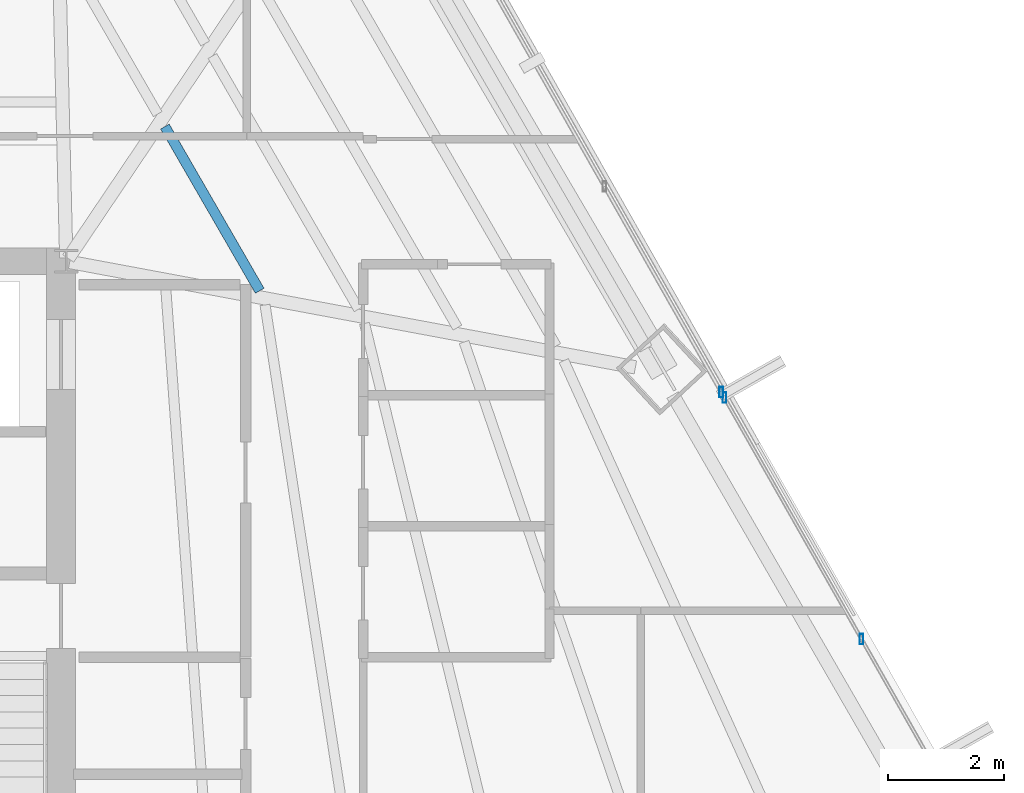
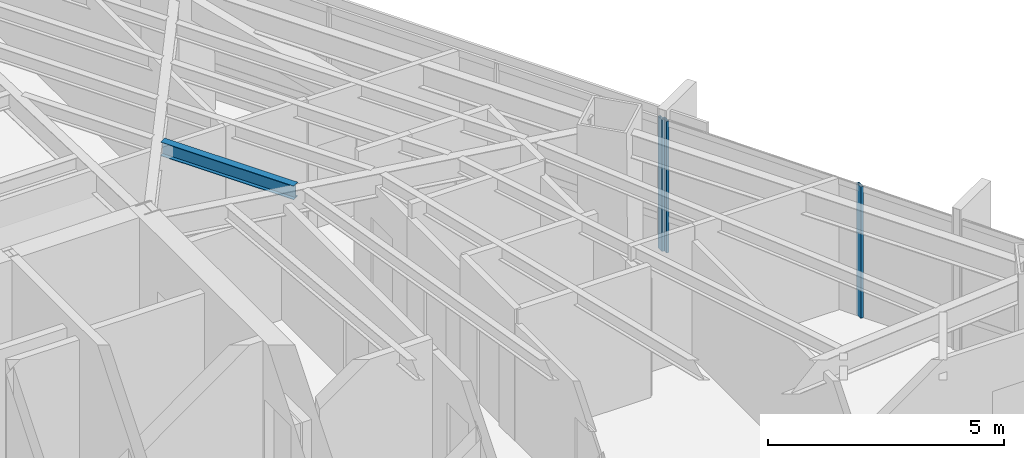
# One storey, part 22 of 37: 3 members, 1 beam, 2 elements without a shape of their own.
"""IFC4 building model written with IfcOpenShell, lengths in metres."""

from ifc_helpers import new_model, si_unit, direction, frame, origin, origin_2d, place, context, subcontext, project, spatial, hollow_rectangle, i_section, extrude, source, transform, mapped, material, material_profile, profile_set, type_object, type_shapes, element, aggregate, save


model = new_model("IFC4")

# Units and contexts
model_context = context("Model", 3, precision=1e-05, world=origin(), true_north=direction((0.0, 1.0)))
body_context = subcontext(model_context, "Body", "Model", "MODEL_VIEW")
ifc_project = project(units=[si_unit("LENGTHUNIT", "METRE"), si_unit("AREAUNIT", "SQUARE_METRE"), si_unit("VOLUMEUNIT", "CUBIC_METRE"), si_unit("PLANEANGLEUNIT", "RADIAN"), si_unit("MASSUNIT", "GRAM", prefix="KILO")], contexts=[model_context])

# Site, building, storey
site_placement = place(None, origin())
site = spatial("IfcSite", under=ifc_project, at=site_placement, CompositionType="ELEMENT")
building_placement = place(site_placement, origin())
building = spatial("IfcBuilding", under=site, at=building_placement, Name="Caelisora Broadcast Tower", CompositionType="ELEMENT")
storey_placement = place(building_placement, frame((0.0, 0.0, 116.35009765625)))
storey = spatial("IfcBuildingStorey", under=building, at=storey_placement, Name="L30", CompositionType="ELEMENT", Elevation=116.35009765625)

# Beam
ifc_material_1 = material(Name="Steel Grade 350 (AS/NZS 3679.1)", Category="steel")
ifc_material_profile_1 = material_profile(ifc_material_1, i_section(OverallWidth=0.172119140625, OverallDepth=0.358642578125, WebThickness=0.008056640625, FlangeThickness=0.012939453125, at=origin_2d()), Name="Steel Grade 350 (AS/NZS 3679.1)")
ifc_profile_set_1 = profile_set([ifc_material_profile_1], Name="Steel Grade 350 (AS/NZS 3679.1)")
beam_type = type_object("IfcBeamType", Name="SB02", PredefinedType="JOIST", material=ifc_profile_set_1)
shared_shape_1 = source(origin(), body_context, "Body", "SweptSolid", [
    extrude(i_section(OverallWidth=0.172119140625, OverallDepth=0.358642578125, WebThickness=0.008056640625, FlangeThickness=0.012939453125, at=origin_2d()), origin(), (0.0, 0.0, 1.0), 3.25732421875),
])
type_shapes(beam_type, [shared_shape_1])
beam_placement = place(storey_placement, frame((48.82275390625, 29.494384765625, 3.220703125), z_axis=(-0.49998412796, 0.866034567317, 0.0), x_axis=(-0.866034567317, -0.49998412796, 0.0)))
element("IfcBeam", 1, at=beam_placement, inside=storey, type_object=beam_type, Name="L30 beam SB02", PredefinedType="JOIST", context=body_context, shape_type="MappedRepresentation", body=[
    mapped(shared_shape_1, transform((0.0, 0.0, 0.0), scale=1.0)),
])

# Curtain wall, member
ifc_material_2 = material(Name="Unitised Aluminium Insulated Shadow-Box Spandrel Curtain Wall", Category="aluminium")
curtain_wall_type_1 = type_object("IfcCurtainWallType", Name="CW-SP1", PredefinedType="NOTDEFINED", material=ifc_material_2)
curtain_wall_1_placement = place(storey_placement, origin())
curtain_wall_1 = element("IfcCurtainWall", 2, at=curtain_wall_1_placement, inside=storey, type_object=curtain_wall_type_1, Name="L30 curtain wall CW-SP1", PredefinedType="NOTDEFINED")
ifc_material_3 = material(Name="Aluminium 6063-T6 Anodised Terracotta Bronze", Category="aluminium")
ifc_material_profile_2 = material_profile(ifc_material_3, hollow_rectangle(XDim=0.06494140625, YDim=0.179931640625, WallThickness=0.00341796875, at=origin_2d()), Name="Aluminium 6063-T6 Anodised Terracotta Bronze")
ifc_profile_set_2 = profile_set([ifc_material_profile_2], Name="Aluminium 6063-T6 Anodised Terracotta Bronze")
member_type = type_object("IfcMemberType", Name="CWM-02", PredefinedType="MULLION", material=ifc_profile_set_2)
shared_shape_2 = source(origin(), body_context, "Body", "SweptSolid", [
    extrude(hollow_rectangle(XDim=0.06494140625, YDim=0.179931640625, WallThickness=0.00341796875, at=origin_2d()), origin(), (0.0, 0.0, 1.0), 3.39990234375),
])
type_shapes(member_type, [shared_shape_2])
member_1_placement = place(storey_placement, frame((56.752197265625, 27.753173828125, 0.0), z_axis=(0.0, 0.0, 1.0), x_axis=(1.0, 0.0, 0.0)))
member_1 = element("IfcMember", 3, at=member_1_placement, type_object=member_type, Name="L30-CW-B02 mullion #3", PredefinedType="MULLION", context=body_context, shape_type="MappedRepresentation", body=[
    mapped(shared_shape_2, transform((0.0, 0.0, 0.0), scale=1.0)),
])
aggregate(curtain_wall_1, [member_1])

# Curtain wall, members
ifc_material_4 = material(Name="Unitised Aluminium and Low-E Glass Curtain Wall", Category="glass")
curtain_wall_type_2 = type_object("IfcCurtainWallType", Name="CW-Z2", PredefinedType="NOTDEFINED", material=ifc_material_4)
curtain_wall_2_placement = place(storey_placement, origin())
curtain_wall_2 = element("IfcCurtainWall", 4, at=curtain_wall_2_placement, inside=storey, type_object=curtain_wall_type_2, Name="L30 curtain wall CW-Z2", PredefinedType="NOTDEFINED")
member_2_placement = place(storey_placement, frame((56.806640625, 27.65771484375, 0.0), z_axis=(0.0, 0.0, 1.0), x_axis=(1.0, 0.0, 0.0)))
member_2 = element("IfcMember", 5, at=member_2_placement, type_object=member_type, Name="L30-CW-B03 mullion #0", PredefinedType="MULLION", context=body_context, shape_type="MappedRepresentation", body=[
    mapped(shared_shape_2, transform((0.0, 0.0, 0.0), scale=1.0)),
])
member_3_placement = place(storey_placement, frame((59.161376953125, 23.510498046875, 0.0), z_axis=(0.0, 0.0, 1.0), x_axis=(1.0, 0.0, 0.0)))
member_3 = element("IfcMember", 6, at=member_3_placement, type_object=member_type, Name="L30-CW-B03 mullion #1", PredefinedType="MULLION", context=body_context, shape_type="MappedRepresentation", body=[
    mapped(shared_shape_2, transform((0.0, 0.0, 0.0), scale=1.0)),
])
aggregate(curtain_wall_2, [member_2, member_3])

save(model, "model.ifc")
